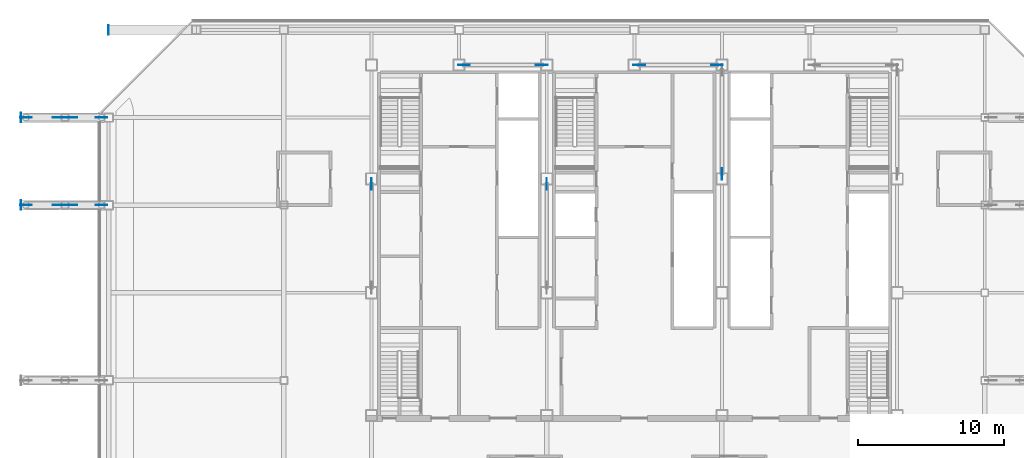
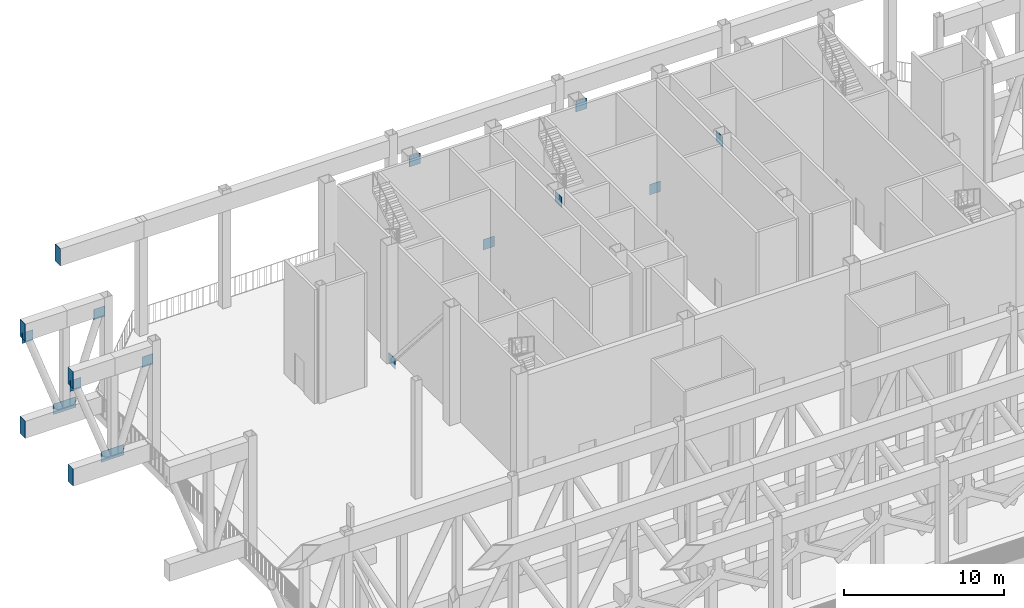
# One storey, part 13 of 22: 18 discrete accessories.
"""IFC4 building model written with IfcOpenShell, lengths in metres."""

from ifc_helpers import new_model, si_unit, direction, frame, origin, origin_2d, place, context, subcontext, project, spatial, rectangle, extrude, material, layer, layer_set, type_object, element, save


model = new_model("IFC4")

# Units and contexts
model_context = context("Model", 3, precision=1e-05, world=origin(), true_north=direction((0.0, 1.0)))
body_context = subcontext(model_context, "Body", "Model", "MODEL_VIEW")
ifc_project = project(units=[si_unit("LENGTHUNIT", "METRE"), si_unit("AREAUNIT", "SQUARE_METRE"), si_unit("VOLUMEUNIT", "CUBIC_METRE"), si_unit("PLANEANGLEUNIT", "RADIAN"), si_unit("MASSUNIT", "GRAM", prefix="KILO")], contexts=[model_context])

# Site, building, storey
site_placement = place(None, origin())
site = spatial("IfcSite", under=ifc_project, at=site_placement, CompositionType="ELEMENT")
building_placement = place(site_placement, origin())
building = spatial("IfcBuilding", under=site, at=building_placement, Name="Sorahane Residences", CompositionType="ELEMENT")
storey_placement = place(building_placement, frame((0.0, 0.0, 281.800048828125)))
storey = spatial("IfcBuildingStorey", under=building, at=storey_placement, Name="L67", CompositionType="ELEMENT", Elevation=281.800048828125)

# Discrete accessories
ifc_material_1 = material(Name="Steel Q420GJ", Category="steel")
ifc_layer_1 = layer(ifc_material_1, 0.02001953125)
ifc_layer_set_1 = layer_set([ifc_layer_1], Name="End plate Steel Q420GJ 650x1300x20")
discrete_accessory_type_1 = type_object("IfcDiscreteAccessoryType", Name="End plate Steel Q420GJ 650x1300x20", PredefinedType="USERDEFINED", material=ifc_layer_set_1)
for number, where, z_axis, x_axis, name in (
    (1, (-18.010009765625, 36.0, 0.0), (0.0, 0.0, 1.0), (1.0, 0.0, 0.0), "End plate L67"),
    (2, (-18.010009765625, 36.0, 7.39990234375), (0.0, 0.0, 1.0), (1.0, 0.0, 0.0), "End plate L67"),
    (3, (-18.010009765625, 42.0, 0.0), (0.0, 0.0, 1.0), (1.0, 0.0, 0.0), "End plate L67"),
    (4, (-18.010009765625, 42.0, 7.39990234375), (0.0, 0.0, 1.0), (1.0, 0.0, 0.0), "End plate L67"),
    (5, (-12.010009765625, 48.0, 7.39990234375), (0.0, 0.0, 1.0), (1.0, 0.0, 0.0), "End plate L67"),
):
    element("IfcDiscreteAccessory", number, at=place(storey_placement, frame(where, z_axis=z_axis, x_axis=x_axis)), inside=storey, type_object=discrete_accessory_type_1, Name=name, ObjectType="END PLATE", PredefinedType="USERDEFINED", context=body_context, shape_type="SweptSolid", body=[
        extrude(rectangle(XDim=0.02001953125, YDim=0.64990234375, at=origin_2d()), origin(), (0.0, 0.0, 1.0), 1.300048828125),
    ])
ifc_material_2 = material(Name="Steel Q355B", Category="steel")
ifc_layer_2 = layer(ifc_material_2, 0.02490234375)
ifc_layer_set_2 = layer_set([ifc_layer_2], Name="Node plate Steel Q355B 25")
discrete_accessory_type_2 = type_object("IfcDiscreteAccessoryType", Name="Node plate Steel Q355B 25", PredefinedType="BRACKET", material=ifc_layer_set_2)
for number, where, z_axis, x_axis, name in (
    (6, (6.0, 37.456298828125, -0.33935546875), (0.0, 0.0, 1.0), (0.0, 1.0, 0.0), "Node plate L67 br"),
    (7, (18.0, 37.456298828125, 7.78955078125), (0.0, 0.0, 1.0), (0.0, 1.0, 0.0), "Node plate L67 br"),
    (8, (30.0, 38.1435546875, 7.78955078125), (0.0, 0.0, 1.0), (0.0, 1.0, 0.0), "Node plate L67 br"),
    (9, (17.662841796875, 45.60009765625, -0.37158203125), (0.0, 0.0, 1.0), (1.0, 0.0, 0.0), "Node plate L67 br"),
    (10, (29.662841796875, 45.60009765625, -0.37158203125), (0.0, 0.0, 1.0), (1.0, 0.0, 0.0), "Node plate L67 br"),
    (11, (12.337158203125, 45.60009765625, 7.82177734375), (0.0, 0.0, 1.0), (1.0, 0.0, 0.0), "Node plate L67 br"),
    (12, (24.337158203125, 45.60009765625, 7.82177734375), (0.0, 0.0, 1.0), (1.0, 0.0, 0.0), "Node plate L67 br"),
):
    element("IfcDiscreteAccessory", number, at=place(storey_placement, frame(where, z_axis=z_axis, x_axis=x_axis)), inside=storey, type_object=discrete_accessory_type_2, Name=name, PredefinedType="BRACKET", context=body_context, shape_type="SweptSolid", body=[
        extrude(rectangle(XDim=0.800048828125, YDim=0.02490234375, at=origin_2d()), origin(), (0.0, 0.0, 1.0), 0.800048828125),
    ])
ifc_material_3 = material(Name="Steel Q420GJ", Category="steel")
ifc_layer_3 = layer(ifc_material_3, 0.02490234375)
ifc_layer_set_3 = layer_set([ifc_layer_3], Name="Node plate Steel Q420GJ 25")
discrete_accessory_type_3 = type_object("IfcDiscreteAccessoryType", Name="Node plate Steel Q420GJ 25", PredefinedType="BRACKET", material=ifc_layer_set_3)
discrete_accessory_1_placement = place(storey_placement, frame((-14.995849609375, 36.0, 0.85107421875), z_axis=(0.0, 0.0, 1.0), x_axis=(1.0, 0.0, 0.0)))
element("IfcDiscreteAccessory", 13, at=discrete_accessory_1_placement, inside=storey, type_object=discrete_accessory_type_3, Name="Node plate L67 tr", PredefinedType="BRACKET", context=body_context, shape_type="SweptSolid", body=[
    extrude(rectangle(XDim=1.66162109375, YDim=0.02490234375, at=origin_2d()), origin(), (0.0, 0.0, 1.0), 0.802490234375),
])
for number, where, z_axis, x_axis, name in (
    (14, (-17.67333984375, 36.0, 7.048828125), (0.0, 0.0, 1.0), (1.0, 0.0, 0.0), "Node plate L67 tr"),
    (15, (-12.485107421875, 36.0, 7.04638671875), (0.0, 0.0, 1.0), (1.0, 0.0, 0.0), "Node plate L67 tr"),
):
    element("IfcDiscreteAccessory", number, at=place(storey_placement, frame(where, z_axis=z_axis, x_axis=x_axis)), inside=storey, type_object=discrete_accessory_type_3, Name=name, PredefinedType="BRACKET", context=body_context, shape_type="SweptSolid", body=[
        extrude(rectangle(XDim=0.800048828125, YDim=0.02490234375, at=origin_2d()), origin(), (0.0, 0.0, 1.0), 0.800048828125),
    ])
discrete_accessory_2_placement = place(storey_placement, frame((-14.995849609375, 42.0, 0.85107421875), z_axis=(0.0, 0.0, 1.0), x_axis=(1.0, 0.0, 0.0)))
element("IfcDiscreteAccessory", 16, at=discrete_accessory_2_placement, inside=storey, type_object=discrete_accessory_type_3, Name="Node plate L67 tr", PredefinedType="BRACKET", context=body_context, shape_type="SweptSolid", body=[
    extrude(rectangle(XDim=1.66162109375, YDim=0.02490234375, at=origin_2d()), origin(), (0.0, 0.0, 1.0), 0.802490234375),
])
for number, where, z_axis, x_axis, name in (
    (17, (-17.67333984375, 42.0, 7.048828125), (0.0, 0.0, 1.0), (1.0, 0.0, 0.0), "Node plate L67 tr"),
    (18, (-12.485107421875, 42.0, 7.04638671875), (0.0, 0.0, 1.0), (1.0, 0.0, 0.0), "Node plate L67 tr"),
):
    element("IfcDiscreteAccessory", number, at=place(storey_placement, frame(where, z_axis=z_axis, x_axis=x_axis)), inside=storey, type_object=discrete_accessory_type_3, Name=name, PredefinedType="BRACKET", context=body_context, shape_type="SweptSolid", body=[
        extrude(rectangle(XDim=0.800048828125, YDim=0.02490234375, at=origin_2d()), origin(), (0.0, 0.0, 1.0), 0.800048828125),
    ])

save(model, "model.ifc")
